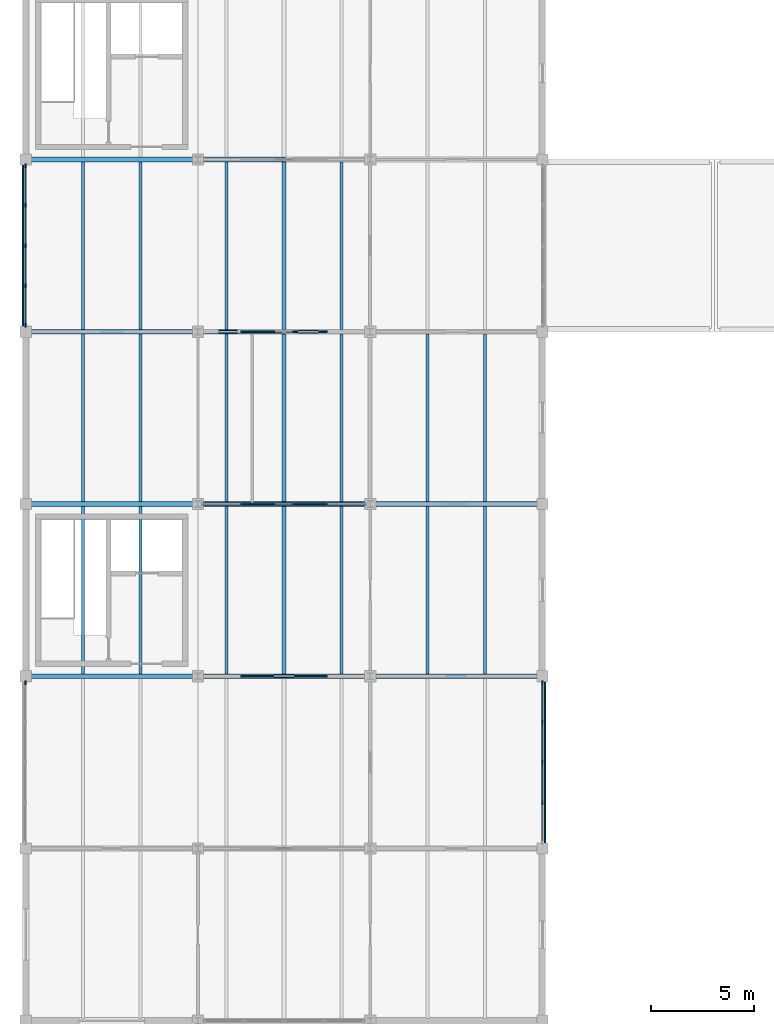
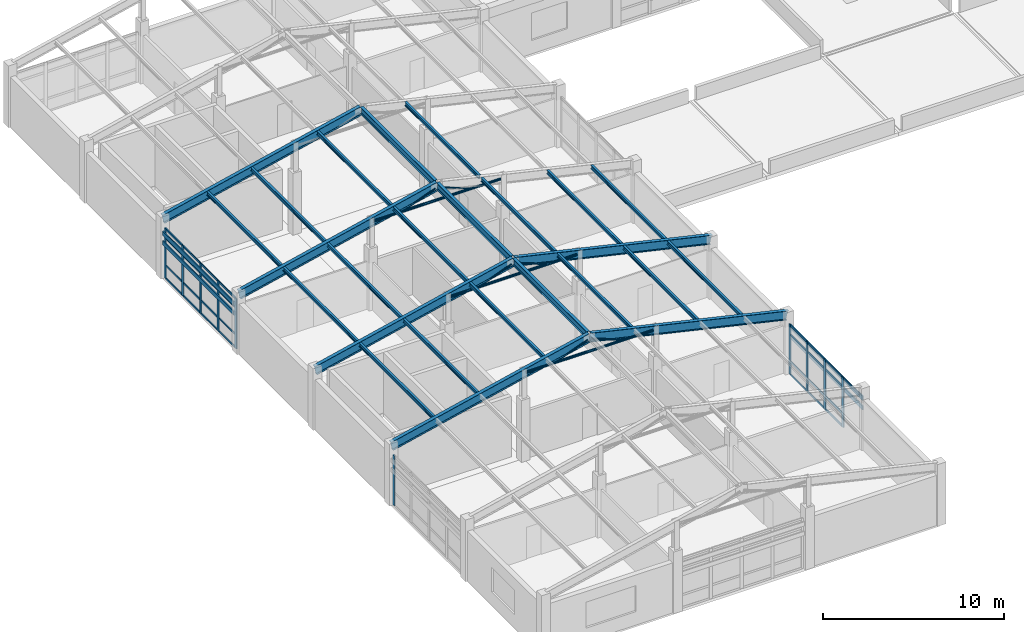
# One storey, part 5 of 40: 68 members, 9 beams, 3 elements without a shape of their own.
"""IFC4 building model written with IfcOpenShell, lengths in metres."""

from ifc_helpers import new_model, si_unit, direction, frame, origin, origin_2d, place, context, subcontext, project, spatial, rectangle, hollow_circle, i_section, extrude, material, layer, layer_set, material_profile, profile_set, type_object, element, aggregate, save


model = new_model("IFC4")

# Units and contexts
model_context = context("Model", 3, precision=1e-05, world=origin(), true_north=direction((0.0, 1.0)))
body_context = subcontext(model_context, "Body", "Model", "MODEL_VIEW")
ifc_project = project(units=[si_unit("LENGTHUNIT", "METRE"), si_unit("AREAUNIT", "SQUARE_METRE"), si_unit("VOLUMEUNIT", "CUBIC_METRE"), si_unit("PLANEANGLEUNIT", "RADIAN"), si_unit("MASSUNIT", "GRAM", prefix="KILO")], contexts=[model_context])

# Site, building, storey
site_placement = place(None, origin())
site = spatial("IfcSite", under=ifc_project, at=site_placement, CompositionType="ELEMENT")
building_placement = place(site_placement, origin())
building = spatial("IfcBuilding", under=site, at=building_placement, Name="Porcellanite Civic Hall", CompositionType="ELEMENT")
storey_placement = place(building_placement, frame((0.0, 0.0, 19.080078125)))
storey = spatial("IfcBuildingStorey", under=building, at=storey_placement, Name="L04", CompositionType="ELEMENT", Elevation=19.080078125)

# Members
ifc_material_1 = material(Name="Steel C350L0", Category="steel")
ifc_material_profile_1 = material_profile(ifc_material_1, hollow_circle(Radius=0.05712890625, WallThickness=0.006103515625, at=origin_2d()), Name="114.3x6.0CHS")
ifc_profile_set_1 = profile_set([ifc_material_profile_1], Name="Steel C350L0")
member_type_1 = type_object("IfcMemberType", Name="BRC-114CHS", PredefinedType="BRACE", material=ifc_profile_set_1)
for number, where, z_axis, x_axis, name in (
    (1, (18.89990234375, 33.60009765625, 5.7998046875), (0.931726918687, 0.0, 0.363159674239), (0.0, 1.0, 0.0), "Committee west web 4"),
    (2, (23.10009765625, 33.60009765625, 5.7998046875), (-0.931726918687, 0.0, 0.363159674239), (0.0, -1.0, 0.0), "Committee east web 4"),
    (3, (18.89990234375, 42.0, 5.7998046875), (0.931726918687, 0.0, 0.363159674239), (0.0, 1.0, 0.0), "Committee west web 5"),
    (4, (23.10009765625, 42.0, 5.7998046875), (-0.931726918687, 0.0, 0.363159674239), (0.0, -1.0, 0.0), "Committee east web 5"),
    (5, (18.89990234375, 50.39990234375, 5.7998046875), (0.931726918687, 0.0, 0.363159674239), (0.0, 1.0, 0.0), "Committee west web 6"),
    (6, (23.10009765625, 50.39990234375, 5.7998046875), (-0.931726918687, 0.0, 0.363159674239), (0.0, -1.0, 0.0), "Committee east web 6"),
):
    element("IfcMember", number, at=place(storey_placement, frame(where, z_axis=z_axis, x_axis=x_axis)), inside=storey, type_object=member_type_1, Name=name, PredefinedType="BRACE", context=body_context, shape_type="SweptSolid", body=[
        extrude(hollow_circle(Radius=0.05712890625, WallThickness=0.006103515625, at=origin_2d()), origin(), (0.0, 0.0, 1.0), 2.146484375),
    ])
ifc_material_2 = material(Name="Steel C350L0", Category="steel")
ifc_material_profile_2 = material_profile(ifc_material_2, hollow_circle(Radius=0.084228515625, WallThickness=0.007080078125, at=origin_2d()), Name="168.3x7.1CHS")
ifc_profile_set_2 = profile_set([ifc_material_profile_2], Name="Steel C350L0")
member_type_2 = type_object("IfcMemberType", Name="BRC-168CHS", PredefinedType="BRACE", material=ifc_profile_set_2)
for number, where, z_axis, x_axis, name in (
    (7, (16.949951171875, 33.60009765625, 5.759765625), (1.0, 0.0, 0.0), (0.0, 1.0, 0.0), "Committee collar tie 4"),
    (8, (16.949951171875, 42.0, 5.759765625), (1.0, 0.0, 0.0), (0.0, 1.0, 0.0), "Committee collar tie 5"),
    (9, (16.949951171875, 50.39990234375, 5.759765625), (1.0, 0.0, 0.0), (0.0, 1.0, 0.0), "Committee collar tie 6"),
):
    element("IfcMember", number, at=place(storey_placement, frame(where, z_axis=z_axis, x_axis=x_axis)), inside=storey, type_object=member_type_2, Name=name, PredefinedType="BRACE", context=body_context, shape_type="SweptSolid", body=[
        extrude(hollow_circle(Radius=0.084228515625, WallThickness=0.007080078125, at=origin_2d()), origin(), (0.0, 0.0, 1.0), 8.10009765625),
    ])

# Curtain wall, member
ifc_material_3 = material(Name="Anodised aluminium and solar laminated glass", Category="aluminium")
ifc_layer = layer(ifc_material_3, 0.179931640625)
ifc_layer_set = layer_set([ifc_layer], Name="Anodised aluminium and solar laminated glass")
curtain_wall_type = type_object("IfcCurtainWallType", Name="CW-SYS05", PredefinedType="NOTDEFINED", material=ifc_layer_set)
curtain_wall_1_placement = place(storey_placement, origin())
curtain_wall_1 = element("IfcCurtainWall", 10, at=curtain_wall_1_placement, inside=storey, type_object=curtain_wall_type, Name="Curtain wall CW-229", PredefinedType="NOTDEFINED")
ifc_material_4 = material(Name="Anodised aluminium 6063-T6", Category="aluminium")
ifc_material_profile_3 = material_profile(ifc_material_4, rectangle(XDim=0.070068359375, YDim=0.199951171875, at=origin_2d()), Name="AL-70x200")
ifc_profile_set_3 = profile_set([ifc_material_profile_3], Name="Anodised aluminium 6063-T6")
member_type_3 = type_object("IfcMemberType", Name="CWM-05", PredefinedType="MULLION", material=ifc_profile_set_3)
member_1_placement = place(storey_placement, frame((8.39990234375, 33.2890625, 0.0), z_axis=(0.0, 0.0, 1.0), x_axis=(-1.0, 0.0, 0.0)))
member_1 = element("IfcMember", 11, at=member_1_placement, type_object=member_type_3, Name="CW-229 mullion 5", PredefinedType="MULLION", context=body_context, shape_type="SweptSolid", body=[
    extrude(rectangle(XDim=0.070068359375, YDim=0.199951171875, at=origin_2d()), origin(), (0.0, 0.0, 1.0), 3.369873046875),
])
aggregate(curtain_wall_1, [member_1])

# Curtain wall, members
curtain_wall_2_placement = place(storey_placement, origin())
curtain_wall_2 = element("IfcCurtainWall", 12, at=curtain_wall_2_placement, inside=storey, type_object=curtain_wall_type, Name="Curtain wall CW-230", PredefinedType="NOTDEFINED")
member_2_placement = place(storey_placement, frame((8.39990234375, 50.7109375, 0.0), z_axis=(0.0, 0.0, 1.0), x_axis=(-1.0, 0.0, 0.0)))
member_2 = element("IfcMember", 13, at=member_2_placement, type_object=member_type_3, Name="CW-230 mullion 1", PredefinedType="MULLION", context=body_context, shape_type="SweptSolid", body=[
    extrude(rectangle(XDim=0.070068359375, YDim=0.199951171875, at=origin_2d()), origin(), (0.0, 0.0, 1.0), 3.369873046875),
])
member_3_placement = place(storey_placement, frame((8.39990234375, 52.637939453125, 0.0), z_axis=(0.0, 0.0, 1.0), x_axis=(-1.0, 0.0, 0.0)))
member_3 = element("IfcMember", 14, at=member_3_placement, type_object=member_type_3, Name="CW-230 mullion 2", PredefinedType="MULLION", context=body_context, shape_type="SweptSolid", body=[
    extrude(rectangle(XDim=0.070068359375, YDim=0.199951171875, at=origin_2d()), origin(), (0.0, 0.0, 1.0), 3.369873046875),
])
member_4_placement = place(storey_placement, frame((8.39990234375, 54.60009765625, 0.0), z_axis=(0.0, 0.0, 1.0), x_axis=(-1.0, 0.0, 0.0)))
member_4 = element("IfcMember", 15, at=member_4_placement, type_object=member_type_3, Name="CW-230 mullion 3", PredefinedType="MULLION", context=body_context, shape_type="SweptSolid", body=[
    extrude(rectangle(XDim=0.070068359375, YDim=0.199951171875, at=origin_2d()), origin(), (0.0, 0.0, 1.0), 3.369873046875),
])
member_5_placement = place(storey_placement, frame((8.39990234375, 56.56201171875, 0.0), z_axis=(0.0, 0.0, 1.0), x_axis=(-1.0, 0.0, 0.0)))
member_5 = element("IfcMember", 16, at=member_5_placement, type_object=member_type_3, Name="CW-230 mullion 4", PredefinedType="MULLION", context=body_context, shape_type="SweptSolid", body=[
    extrude(rectangle(XDim=0.070068359375, YDim=0.199951171875, at=origin_2d()), origin(), (0.0, 0.0, 1.0), 3.369873046875),
])
member_6_placement = place(storey_placement, frame((8.39990234375, 58.489013671875, 0.0), z_axis=(0.0, 0.0, 1.0), x_axis=(-1.0, 0.0, 0.0)))
member_6 = element("IfcMember", 17, at=member_6_placement, type_object=member_type_3, Name="CW-230 mullion 5", PredefinedType="MULLION", context=body_context, shape_type="SweptSolid", body=[
    extrude(rectangle(XDim=0.070068359375, YDim=0.199951171875, at=origin_2d()), origin(), (0.0, 0.0, 1.0), 3.369873046875),
])

curtain_wall_3_placement = place(storey_placement, origin())
curtain_wall_3 = element("IfcCurtainWall", 18, at=curtain_wall_3_placement, inside=storey, type_object=curtain_wall_type, Name="Curtain wall CW-233", PredefinedType="NOTDEFINED")
member_7_placement = place(storey_placement, frame((33.60009765625, 33.2890625, 0.0), z_axis=(0.0, 0.0, 1.0), x_axis=(1.0, 0.0, 0.0)))
member_7 = element("IfcMember", 19, at=member_7_placement, type_object=member_type_3, Name="CW-233 mullion 1", PredefinedType="MULLION", context=body_context, shape_type="SweptSolid", body=[
    extrude(rectangle(XDim=0.070068359375, YDim=0.199951171875, at=origin_2d()), origin(), (0.0, 0.0, 1.0), 3.369873046875),
])
member_8_placement = place(storey_placement, frame((33.60009765625, 31.362060546875, 0.0), z_axis=(0.0, 0.0, 1.0), x_axis=(1.0, 0.0, 0.0)))
member_8 = element("IfcMember", 20, at=member_8_placement, type_object=member_type_3, Name="CW-233 mullion 2", PredefinedType="MULLION", context=body_context, shape_type="SweptSolid", body=[
    extrude(rectangle(XDim=0.070068359375, YDim=0.199951171875, at=origin_2d()), origin(), (0.0, 0.0, 1.0), 3.369873046875),
])
member_9_placement = place(storey_placement, frame((33.60009765625, 29.39990234375, 0.0), z_axis=(0.0, 0.0, 1.0), x_axis=(1.0, 0.0, 0.0)))
member_9 = element("IfcMember", 21, at=member_9_placement, type_object=member_type_3, Name="CW-233 mullion 3", PredefinedType="MULLION", context=body_context, shape_type="SweptSolid", body=[
    extrude(rectangle(XDim=0.070068359375, YDim=0.199951171875, at=origin_2d()), origin(), (0.0, 0.0, 1.0), 3.369873046875),
])
member_10_placement = place(storey_placement, frame((33.60009765625, 27.43798828125, 0.0), z_axis=(0.0, 0.0, 1.0), x_axis=(1.0, 0.0, 0.0)))
member_10 = element("IfcMember", 22, at=member_10_placement, type_object=member_type_3, Name="CW-233 mullion 4", PredefinedType="MULLION", context=body_context, shape_type="SweptSolid", body=[
    extrude(rectangle(XDim=0.070068359375, YDim=0.199951171875, at=origin_2d()), origin(), (0.0, 0.0, 1.0), 3.369873046875),
])

# Member
ifc_material_5 = material(Name="Anodised aluminium 6063-T6", Category="aluminium")
ifc_material_profile_4 = material_profile(ifc_material_5, rectangle(XDim=0.06005859375, YDim=0.1298828125, at=origin_2d()), Name="AL-60x130")
ifc_profile_set_4 = profile_set([ifc_material_profile_4], Name="Anodised aluminium 6063-T6")
member_type_4 = type_object("IfcMemberType", Name="CWT-03", PredefinedType="USERDEFINED", material=ifc_profile_set_4)
member_11_placement = place(storey_placement, frame((8.39990234375, 50.74609375, 0.030029296875), z_axis=(0.0, 1.0, 0.0), x_axis=(-1.0, 0.0, 0.0)))
member_11 = element("IfcMember", 23, at=member_11_placement, type_object=member_type_4, Name="CW-230 transom 1.1", ObjectType="TRANSOM", PredefinedType="USERDEFINED", context=body_context, shape_type="SweptSolid", body=[
    extrude(rectangle(XDim=0.06005859375, YDim=0.1298828125, at=origin_2d()), origin(), (0.0, 0.0, 1.0), 1.85693359375),
])

member_12_placement = place(storey_placement, frame((8.39990234375, 50.74609375, 0.89990234375), z_axis=(0.0, 1.0, 0.0), x_axis=(-1.0, 0.0, 0.0)))
member_12 = element("IfcMember", 24, at=member_12_placement, type_object=member_type_4, Name="CW-230 transom 1.2", ObjectType="TRANSOM", PredefinedType="USERDEFINED", context=body_context, shape_type="SweptSolid", body=[
    extrude(rectangle(XDim=0.06005859375, YDim=0.1298828125, at=origin_2d()), origin(), (0.0, 0.0, 1.0), 1.85693359375),
])

member_13_placement = place(storey_placement, frame((8.39990234375, 50.74609375, 2.719970703125), z_axis=(0.0, 1.0, 0.0), x_axis=(-1.0, 0.0, 0.0)))
member_13 = element("IfcMember", 25, at=member_13_placement, type_object=member_type_4, Name="CW-230 transom 1.3", ObjectType="TRANSOM", PredefinedType="USERDEFINED", context=body_context, shape_type="SweptSolid", body=[
    extrude(rectangle(XDim=0.06005859375, YDim=0.1298828125, at=origin_2d()), origin(), (0.0, 0.0, 1.0), 1.85693359375),
])

member_14_placement = place(storey_placement, frame((8.39990234375, 50.74609375, 3.33984375), z_axis=(0.0, 1.0, 0.0), x_axis=(-1.0, 0.0, 0.0)))
member_14 = element("IfcMember", 26, at=member_14_placement, type_object=member_type_4, Name="CW-230 transom 1.4", ObjectType="TRANSOM", PredefinedType="USERDEFINED", context=body_context, shape_type="SweptSolid", body=[
    extrude(rectangle(XDim=0.06005859375, YDim=0.1298828125, at=origin_2d()), origin(), (0.0, 0.0, 1.0), 1.85693359375),
])

member_15_placement = place(storey_placement, frame((8.39990234375, 52.673095703125, 0.030029296875), z_axis=(0.0, 1.0, 0.0), x_axis=(-1.0, 0.0, 0.0)))
member_15 = element("IfcMember", 27, at=member_15_placement, type_object=member_type_4, Name="CW-230 transom 2.1", ObjectType="TRANSOM", PredefinedType="USERDEFINED", context=body_context, shape_type="SweptSolid", body=[
    extrude(rectangle(XDim=0.06005859375, YDim=0.1298828125, at=origin_2d()), origin(), (0.0, 0.0, 1.0), 1.891845703125),
])

member_16_placement = place(storey_placement, frame((8.39990234375, 52.673095703125, 0.89990234375), z_axis=(0.0, 1.0, 0.0), x_axis=(-1.0, 0.0, 0.0)))
member_16 = element("IfcMember", 28, at=member_16_placement, type_object=member_type_4, Name="CW-230 transom 2.2", ObjectType="TRANSOM", PredefinedType="USERDEFINED", context=body_context, shape_type="SweptSolid", body=[
    extrude(rectangle(XDim=0.06005859375, YDim=0.1298828125, at=origin_2d()), origin(), (0.0, 0.0, 1.0), 1.891845703125),
])

member_17_placement = place(storey_placement, frame((8.39990234375, 52.673095703125, 2.719970703125), z_axis=(0.0, 1.0, 0.0), x_axis=(-1.0, 0.0, 0.0)))
member_17 = element("IfcMember", 29, at=member_17_placement, type_object=member_type_4, Name="CW-230 transom 2.3", ObjectType="TRANSOM", PredefinedType="USERDEFINED", context=body_context, shape_type="SweptSolid", body=[
    extrude(rectangle(XDim=0.06005859375, YDim=0.1298828125, at=origin_2d()), origin(), (0.0, 0.0, 1.0), 1.891845703125),
])

member_18_placement = place(storey_placement, frame((8.39990234375, 52.673095703125, 3.33984375), z_axis=(0.0, 1.0, 0.0), x_axis=(-1.0, 0.0, 0.0)))
member_18 = element("IfcMember", 30, at=member_18_placement, type_object=member_type_4, Name="CW-230 transom 2.4", ObjectType="TRANSOM", PredefinedType="USERDEFINED", context=body_context, shape_type="SweptSolid", body=[
    extrude(rectangle(XDim=0.06005859375, YDim=0.1298828125, at=origin_2d()), origin(), (0.0, 0.0, 1.0), 1.891845703125),
])

member_19_placement = place(storey_placement, frame((8.39990234375, 54.635009765625, 0.030029296875), z_axis=(0.0, 1.0, 0.0), x_axis=(-1.0, 0.0, 0.0)))
member_19 = element("IfcMember", 31, at=member_19_placement, type_object=member_type_4, Name="CW-230 transom 3.1", ObjectType="TRANSOM", PredefinedType="USERDEFINED", context=body_context, shape_type="SweptSolid", body=[
    extrude(rectangle(XDim=0.06005859375, YDim=0.1298828125, at=origin_2d()), origin(), (0.0, 0.0, 1.0), 1.89208984375),
])

member_20_placement = place(storey_placement, frame((8.39990234375, 54.635009765625, 0.89990234375), z_axis=(0.0, 1.0, 0.0), x_axis=(-1.0, 0.0, 0.0)))
member_20 = element("IfcMember", 32, at=member_20_placement, type_object=member_type_4, Name="CW-230 transom 3.2", ObjectType="TRANSOM", PredefinedType="USERDEFINED", context=body_context, shape_type="SweptSolid", body=[
    extrude(rectangle(XDim=0.06005859375, YDim=0.1298828125, at=origin_2d()), origin(), (0.0, 0.0, 1.0), 1.89208984375),
])

member_21_placement = place(storey_placement, frame((8.39990234375, 54.635009765625, 2.719970703125), z_axis=(0.0, 1.0, 0.0), x_axis=(-1.0, 0.0, 0.0)))
member_21 = element("IfcMember", 33, at=member_21_placement, type_object=member_type_4, Name="CW-230 transom 3.3", ObjectType="TRANSOM", PredefinedType="USERDEFINED", context=body_context, shape_type="SweptSolid", body=[
    extrude(rectangle(XDim=0.06005859375, YDim=0.1298828125, at=origin_2d()), origin(), (0.0, 0.0, 1.0), 1.89208984375),
])

member_22_placement = place(storey_placement, frame((8.39990234375, 54.635009765625, 3.33984375), z_axis=(0.0, 1.0, 0.0), x_axis=(-1.0, 0.0, 0.0)))
member_22 = element("IfcMember", 34, at=member_22_placement, type_object=member_type_4, Name="CW-230 transom 3.4", ObjectType="TRANSOM", PredefinedType="USERDEFINED", context=body_context, shape_type="SweptSolid", body=[
    extrude(rectangle(XDim=0.06005859375, YDim=0.1298828125, at=origin_2d()), origin(), (0.0, 0.0, 1.0), 1.89208984375),
])

member_23_placement = place(storey_placement, frame((8.39990234375, 56.596923828125, 0.030029296875), z_axis=(0.0, 1.0, 0.0), x_axis=(-1.0, 0.0, 0.0)))
member_23 = element("IfcMember", 35, at=member_23_placement, type_object=member_type_4, Name="CW-230 transom 4.1", ObjectType="TRANSOM", PredefinedType="USERDEFINED", context=body_context, shape_type="SweptSolid", body=[
    extrude(rectangle(XDim=0.06005859375, YDim=0.1298828125, at=origin_2d()), origin(), (0.0, 0.0, 1.0), 1.857177734375),
])

member_24_placement = place(storey_placement, frame((8.39990234375, 56.596923828125, 0.89990234375), z_axis=(0.0, 1.0, 0.0), x_axis=(-1.0, 0.0, 0.0)))
member_24 = element("IfcMember", 36, at=member_24_placement, type_object=member_type_4, Name="CW-230 transom 4.2", ObjectType="TRANSOM", PredefinedType="USERDEFINED", context=body_context, shape_type="SweptSolid", body=[
    extrude(rectangle(XDim=0.06005859375, YDim=0.1298828125, at=origin_2d()), origin(), (0.0, 0.0, 1.0), 1.857177734375),
])

member_25_placement = place(storey_placement, frame((8.39990234375, 56.596923828125, 2.719970703125), z_axis=(0.0, 1.0, 0.0), x_axis=(-1.0, 0.0, 0.0)))
member_25 = element("IfcMember", 37, at=member_25_placement, type_object=member_type_4, Name="CW-230 transom 4.3", ObjectType="TRANSOM", PredefinedType="USERDEFINED", context=body_context, shape_type="SweptSolid", body=[
    extrude(rectangle(XDim=0.06005859375, YDim=0.1298828125, at=origin_2d()), origin(), (0.0, 0.0, 1.0), 1.857177734375),
])

member_26_placement = place(storey_placement, frame((8.39990234375, 56.596923828125, 3.33984375), z_axis=(0.0, 1.0, 0.0), x_axis=(-1.0, 0.0, 0.0)))
member_26 = element("IfcMember", 38, at=member_26_placement, type_object=member_type_4, Name="CW-230 transom 4.4", ObjectType="TRANSOM", PredefinedType="USERDEFINED", context=body_context, shape_type="SweptSolid", body=[
    extrude(rectangle(XDim=0.06005859375, YDim=0.1298828125, at=origin_2d()), origin(), (0.0, 0.0, 1.0), 1.857177734375),
])

aggregate(curtain_wall_2, [member_2, member_3, member_4, member_5, member_6, member_11, member_12, member_13, member_14, member_15, member_16, member_17, member_18, member_19, member_20, member_21, member_22, member_23, member_24, member_25, member_26])

member_27_placement = place(storey_placement, frame((33.60009765625, 33.25390625, 0.030029296875), z_axis=(0.0, -1.0, 0.0), x_axis=(1.0, 0.0, 0.0)))
member_27 = element("IfcMember", 39, at=member_27_placement, type_object=member_type_4, Name="CW-233 transom 1.1", ObjectType="TRANSOM", PredefinedType="USERDEFINED", context=body_context, shape_type="SweptSolid", body=[
    extrude(rectangle(XDim=0.06005859375, YDim=0.1298828125, at=origin_2d()), origin(), (0.0, 0.0, 1.0), 1.85693359375),
])

member_28_placement = place(storey_placement, frame((33.60009765625, 33.25390625, 0.89990234375), z_axis=(0.0, -1.0, 0.0), x_axis=(1.0, 0.0, 0.0)))
member_28 = element("IfcMember", 40, at=member_28_placement, type_object=member_type_4, Name="CW-233 transom 1.2", ObjectType="TRANSOM", PredefinedType="USERDEFINED", context=body_context, shape_type="SweptSolid", body=[
    extrude(rectangle(XDim=0.06005859375, YDim=0.1298828125, at=origin_2d()), origin(), (0.0, 0.0, 1.0), 1.85693359375),
])

member_29_placement = place(storey_placement, frame((33.60009765625, 33.25390625, 2.719970703125), z_axis=(0.0, -1.0, 0.0), x_axis=(1.0, 0.0, 0.0)))
member_29 = element("IfcMember", 41, at=member_29_placement, type_object=member_type_4, Name="CW-233 transom 1.3", ObjectType="TRANSOM", PredefinedType="USERDEFINED", context=body_context, shape_type="SweptSolid", body=[
    extrude(rectangle(XDim=0.06005859375, YDim=0.1298828125, at=origin_2d()), origin(), (0.0, 0.0, 1.0), 1.85693359375),
])

member_30_placement = place(storey_placement, frame((33.60009765625, 33.25390625, 3.33984375), z_axis=(0.0, -1.0, 0.0), x_axis=(1.0, 0.0, 0.0)))
member_30 = element("IfcMember", 42, at=member_30_placement, type_object=member_type_4, Name="CW-233 transom 1.4", ObjectType="TRANSOM", PredefinedType="USERDEFINED", context=body_context, shape_type="SweptSolid", body=[
    extrude(rectangle(XDim=0.06005859375, YDim=0.1298828125, at=origin_2d()), origin(), (0.0, 0.0, 1.0), 1.85693359375),
])

member_31_placement = place(storey_placement, frame((33.60009765625, 31.326904296875, 0.030029296875), z_axis=(0.0, -1.0, 0.0), x_axis=(1.0, 0.0, 0.0)))
member_31 = element("IfcMember", 43, at=member_31_placement, type_object=member_type_4, Name="CW-233 transom 2.1", ObjectType="TRANSOM", PredefinedType="USERDEFINED", context=body_context, shape_type="SweptSolid", body=[
    extrude(rectangle(XDim=0.06005859375, YDim=0.1298828125, at=origin_2d()), origin(), (0.0, 0.0, 1.0), 1.891845703125),
])

member_32_placement = place(storey_placement, frame((33.60009765625, 31.326904296875, 0.89990234375), z_axis=(0.0, -1.0, 0.0), x_axis=(1.0, 0.0, 0.0)))
member_32 = element("IfcMember", 44, at=member_32_placement, type_object=member_type_4, Name="CW-233 transom 2.2", ObjectType="TRANSOM", PredefinedType="USERDEFINED", context=body_context, shape_type="SweptSolid", body=[
    extrude(rectangle(XDim=0.06005859375, YDim=0.1298828125, at=origin_2d()), origin(), (0.0, 0.0, 1.0), 1.891845703125),
])

member_33_placement = place(storey_placement, frame((33.60009765625, 31.326904296875, 2.719970703125), z_axis=(0.0, -1.0, 0.0), x_axis=(1.0, 0.0, 0.0)))
member_33 = element("IfcMember", 45, at=member_33_placement, type_object=member_type_4, Name="CW-233 transom 2.3", ObjectType="TRANSOM", PredefinedType="USERDEFINED", context=body_context, shape_type="SweptSolid", body=[
    extrude(rectangle(XDim=0.06005859375, YDim=0.1298828125, at=origin_2d()), origin(), (0.0, 0.0, 1.0), 1.891845703125),
])

member_34_placement = place(storey_placement, frame((33.60009765625, 31.326904296875, 3.33984375), z_axis=(0.0, -1.0, 0.0), x_axis=(1.0, 0.0, 0.0)))
member_34 = element("IfcMember", 46, at=member_34_placement, type_object=member_type_4, Name="CW-233 transom 2.4", ObjectType="TRANSOM", PredefinedType="USERDEFINED", context=body_context, shape_type="SweptSolid", body=[
    extrude(rectangle(XDim=0.06005859375, YDim=0.1298828125, at=origin_2d()), origin(), (0.0, 0.0, 1.0), 1.891845703125),
])

member_35_placement = place(storey_placement, frame((33.60009765625, 29.364990234375, 0.030029296875), z_axis=(0.0, -1.0, 0.0), x_axis=(1.0, 0.0, 0.0)))
member_35 = element("IfcMember", 47, at=member_35_placement, type_object=member_type_4, Name="CW-233 transom 3.1", ObjectType="TRANSOM", PredefinedType="USERDEFINED", context=body_context, shape_type="SweptSolid", body=[
    extrude(rectangle(XDim=0.06005859375, YDim=0.1298828125, at=origin_2d()), origin(), (0.0, 0.0, 1.0), 1.89208984375),
])

member_36_placement = place(storey_placement, frame((33.60009765625, 29.364990234375, 0.89990234375), z_axis=(0.0, -1.0, 0.0), x_axis=(1.0, 0.0, 0.0)))
member_36 = element("IfcMember", 48, at=member_36_placement, type_object=member_type_4, Name="CW-233 transom 3.2", ObjectType="TRANSOM", PredefinedType="USERDEFINED", context=body_context, shape_type="SweptSolid", body=[
    extrude(rectangle(XDim=0.06005859375, YDim=0.1298828125, at=origin_2d()), origin(), (0.0, 0.0, 1.0), 1.89208984375),
])

member_37_placement = place(storey_placement, frame((33.60009765625, 29.364990234375, 2.719970703125), z_axis=(0.0, -1.0, 0.0), x_axis=(1.0, 0.0, 0.0)))
member_37 = element("IfcMember", 49, at=member_37_placement, type_object=member_type_4, Name="CW-233 transom 3.3", ObjectType="TRANSOM", PredefinedType="USERDEFINED", context=body_context, shape_type="SweptSolid", body=[
    extrude(rectangle(XDim=0.06005859375, YDim=0.1298828125, at=origin_2d()), origin(), (0.0, 0.0, 1.0), 1.89208984375),
])

member_38_placement = place(storey_placement, frame((33.60009765625, 29.364990234375, 3.33984375), z_axis=(0.0, -1.0, 0.0), x_axis=(1.0, 0.0, 0.0)))
member_38 = element("IfcMember", 50, at=member_38_placement, type_object=member_type_4, Name="CW-233 transom 3.4", ObjectType="TRANSOM", PredefinedType="USERDEFINED", context=body_context, shape_type="SweptSolid", body=[
    extrude(rectangle(XDim=0.06005859375, YDim=0.1298828125, at=origin_2d()), origin(), (0.0, 0.0, 1.0), 1.89208984375),
])

member_39_placement = place(storey_placement, frame((33.60009765625, 27.403076171875, 3.33984375), z_axis=(0.0, -1.0, 0.0), x_axis=(1.0, 0.0, 0.0)))
member_39 = element("IfcMember", 51, at=member_39_placement, type_object=member_type_4, Name="CW-233 transom 4.4", ObjectType="TRANSOM", PredefinedType="USERDEFINED", context=body_context, shape_type="SweptSolid", body=[
    extrude(rectangle(XDim=0.06005859375, YDim=0.1298828125, at=origin_2d()), origin(), (0.0, 0.0, 1.0), 1.857177734375),
])

aggregate(curtain_wall_3, [member_7, member_8, member_9, member_10, member_27, member_28, member_29, member_30, member_31, member_32, member_33, member_34, member_35, member_36, member_37, member_38, member_39])

# Members
ifc_material_6 = material(Name="Fluoropolymer bauxite-red aluminium 6063-T6", Category="aluminium")
ifc_material_profile_5 = material_profile(ifc_material_6, rectangle(XDim=0.070068359375, YDim=0.280029296875, at=origin_2d()), Name="AL-70x280")
ifc_profile_set_5 = profile_set([ifc_material_profile_5], Name="Fluoropolymer bauxite-red aluminium 6063-T6")
member_type_5 = type_object("IfcMemberType", Name="LV-BLD05", PredefinedType="USERDEFINED", material=ifc_profile_set_5)
for number, where, z_axis, x_axis, name in (
    (52, (8.262939453125, 50.674560546875, 3.06982421875), (0.0, 1.0, 0.0), (-1.0, 0.0, 0.0), "Cyclone sunshade louvre L04 W 1-6 1"),
    (53, (8.262939453125, 50.674560546875, 2.419921875), (0.0, 1.0, 0.0), (-1.0, 0.0, 0.0), "Cyclone sunshade louvre L04 W 1-6 2"),
    (54, (33.737060546875, 33.325439453125, 3.06982421875), (0.0, -1.0, 0.0), (1.0, 0.0, 0.0), "Cyclone sunshade louvre L04 E 3-3 1"),
    (55, (33.737060546875, 33.325439453125, 2.419921875), (0.0, -1.0, 0.0), (1.0, 0.0, 0.0), "Cyclone sunshade louvre L04 E 3-3 2"),
):
    element("IfcMember", number, at=place(storey_placement, frame(where, z_axis=z_axis, x_axis=x_axis)), inside=storey, type_object=member_type_5, Name=name, ObjectType="LOUVRE BLADE", PredefinedType="USERDEFINED", context=body_context, shape_type="SweptSolid", body=[
        extrude(rectangle(XDim=0.070068359375, YDim=0.280029296875, at=origin_2d()), origin(), (0.0, 0.0, 1.0), 7.850830078125),
    ])
ifc_material_7 = material(Name="Steel Grade 350", Category="steel")
ifc_material_profile_6 = material_profile(ifc_material_7, i_section(OverallWidth=0.14599609375, OverallDepth=0.251953125, WebThickness=0.006103515625, FlangeThickness=0.008544921875, FilletRadius=0.0087890625, at=origin_2d()), Name="250UB31.4")
ifc_profile_set_6 = profile_set([ifc_material_profile_6], Name="Steel Grade 350")
member_type_6 = type_object("IfcMemberType", Name="PUR-250UB31", PredefinedType="PURLIN", material=ifc_profile_set_6)
for number, where, z_axis, x_axis, name in (
    (56, (11.199951171875, 33.714111328125, 4.639892578125), (0.0, 1.0, 0.0), (-1.0, 0.0, 0.0), "Committee roof purlin 4 11.2"),
    (57, (14.0, 33.714111328125, 5.286376953125), (0.0, 1.0, 0.0), (-1.0, 0.0, 0.0), "Committee roof purlin 4 14.0"),
    (58, (18.199951171875, 33.714111328125, 6.255859375), (0.0, 1.0, 0.0), (-1.0, 0.0, 0.0), "Committee roof purlin 4 18.2"),
    (59, (23.800048828125, 33.714111328125, 6.255859375), (0.0, 1.0, 0.0), (-1.0, 0.0, 0.0), "Committee roof purlin 4 23.8"),
    (60, (28.0, 33.714111328125, 5.286376953125), (0.0, 1.0, 0.0), (-1.0, 0.0, 0.0), "Committee roof purlin 4 28.0"),
    (61, (30.800048828125, 33.714111328125, 4.639892578125), (0.0, 1.0, 0.0), (-1.0, 0.0, 0.0), "Committee roof purlin 4 30.8"),
    (62, (11.199951171875, 42.114013671875, 4.639892578125), (0.0, 1.0, 0.0), (-1.0, 0.0, 0.0), "Committee roof purlin 5 11.2"),
    (63, (14.0, 42.114013671875, 5.286376953125), (0.0, 1.0, 0.0), (-1.0, 0.0, 0.0), "Committee roof purlin 5 14.0"),
    (64, (18.199951171875, 42.114013671875, 6.255859375), (0.0, 1.0, 0.0), (-1.0, 0.0, 0.0), "Committee roof purlin 5 18.2"),
    (65, (23.800048828125, 42.114013671875, 6.255859375), (0.0, 1.0, 0.0), (-1.0, 0.0, 0.0), "Committee roof purlin 5 23.8"),
    (66, (28.0, 42.114013671875, 5.286376953125), (0.0, 1.0, 0.0), (-1.0, 0.0, 0.0), "Committee roof purlin 5 28.0"),
    (67, (30.800048828125, 42.114013671875, 4.639892578125), (0.0, 1.0, 0.0), (-1.0, 0.0, 0.0), "Committee roof purlin 5 30.8"),
):
    element("IfcMember", number, at=place(storey_placement, frame(where, z_axis=z_axis, x_axis=x_axis)), inside=storey, type_object=member_type_6, Name=name, PredefinedType="PURLIN", context=body_context, shape_type="SweptSolid", body=[
        extrude(i_section(OverallWidth=0.14599609375, OverallDepth=0.251953125, WebThickness=0.006103515625, FlangeThickness=0.008544921875, FilletRadius=0.0087890625, at=origin_2d()), origin(), (0.0, 0.0, 1.0), 8.171875),
    ])
for number, where, z_axis, x_axis, name in (
    (68, (11.199951171875, 50.513916015625, 4.639892578125), (0.0, 1.0, 0.0), (-1.0, 0.0, 0.0), "Committee roof purlin 6 11.2"),
    (69, (14.0, 50.513916015625, 5.286376953125), (0.0, 1.0, 0.0), (-1.0, 0.0, 0.0), "Committee roof purlin 6 14.0"),
    (70, (18.199951171875, 50.513916015625, 6.255859375), (0.0, 1.0, 0.0), (-1.0, 0.0, 0.0), "Committee roof purlin 6 18.2"),
    (71, (23.800048828125, 50.513916015625, 6.255859375), (0.0, 1.0, 0.0), (-1.0, 0.0, 0.0), "Committee roof purlin 6 23.8"),
):
    element("IfcMember", number, at=place(storey_placement, frame(where, z_axis=z_axis, x_axis=x_axis)), inside=storey, type_object=member_type_6, Name=name, PredefinedType="PURLIN", context=body_context, shape_type="SweptSolid", body=[
        extrude(i_section(OverallWidth=0.14599609375, OverallDepth=0.251953125, WebThickness=0.006103515625, FlangeThickness=0.008544921875, FilletRadius=0.0087890625, at=origin_2d()), origin(), (0.0, 0.0, 1.0), 8.172119140625),
    ])

# Beams
ifc_material_8 = material(Name="Steel Grade 350", Category="steel")
ifc_material_profile_7 = material_profile(ifc_material_8, i_section(OverallWidth=0.19091796875, OverallDepth=0.4599609375, WebThickness=0.010009765625, FlangeThickness=0.01611328125, FilletRadius=0.011474609375, at=origin_2d()), Name="460UB82.1")
ifc_profile_set_7 = profile_set([ifc_material_profile_7], Name="Steel Grade 350")
beam_type_1 = type_object("IfcBeamType", Name="RAF-460UB82", PredefinedType="BEAM", material=ifc_profile_set_7)
for number, where, z_axis, x_axis, name in (
    (72, (21.0, 33.714111328125, 6.79150390625), (0.0, 1.0, 0.0), (-1.0, 0.0, 0.0), "Committee ridge beam 4"),
    (73, (21.0, 42.114013671875, 6.79150390625), (0.0, 1.0, 0.0), (-1.0, 0.0, 0.0), "Committee ridge beam 5"),
):
    element("IfcBeam", number, at=place(storey_placement, frame(where, z_axis=z_axis, x_axis=x_axis)), inside=storey, type_object=beam_type_1, Name=name, PredefinedType="BEAM", context=body_context, shape_type="SweptSolid", body=[
        extrude(i_section(OverallWidth=0.19091796875, OverallDepth=0.4599609375, WebThickness=0.010009765625, FlangeThickness=0.01611328125, FilletRadius=0.011474609375, at=origin_2d()), origin(), (0.0, 0.0, 1.0), 8.171875),
    ])
beam_placement = place(storey_placement, frame((21.0, 50.513916015625, 6.79150390625), z_axis=(0.0, 1.0, 0.0), x_axis=(-1.0, 0.0, 0.0)))
element("IfcBeam", 74, at=beam_placement, inside=storey, type_object=beam_type_1, Name="Committee ridge beam 6", PredefinedType="BEAM", context=body_context, shape_type="SweptSolid", body=[
    extrude(i_section(OverallWidth=0.19091796875, OverallDepth=0.4599609375, WebThickness=0.010009765625, FlangeThickness=0.01611328125, FilletRadius=0.011474609375, at=origin_2d()), origin(), (0.0, 0.0, 1.0), 8.172119140625),
])
ifc_material_9 = material(Name="Steel Grade 350", Category="steel")
ifc_material_profile_8 = material_profile(ifc_material_9, i_section(OverallWidth=0.22802734375, OverallDepth=0.60205078125, WebThickness=0.010498046875, FlangeThickness=0.014892578125, FilletRadius=0.013916015625, at=origin_2d()), Name="610UB101")
ifc_profile_set_8 = profile_set([ifc_material_profile_8], Name="Steel Grade 350")
beam_type_2 = type_object("IfcBeamType", Name="RAF-610UB101", PredefinedType="BEAM", material=ifc_profile_set_8)
for number, where, z_axis, x_axis, name in (
    (75, (8.39990234375, 33.60009765625, 3.8203125), (0.974370508985, 0.0, 0.224949130296), (0.0, 1.0, 0.0), "Committee west rafter 4"),
    (76, (21.0, 33.60009765625, 6.729248046875), (0.974370508985, 0.0, -0.224949130296), (0.0, 1.0, 0.0), "Committee east rafter 4"),
    (77, (8.39990234375, 42.0, 3.8203125), (0.974370508985, 0.0, 0.224949130296), (0.0, 1.0, 0.0), "Committee west rafter 5"),
    (78, (21.0, 42.0, 6.729248046875), (0.974370508985, 0.0, -0.224949130296), (0.0, 1.0, 0.0), "Committee east rafter 5"),
    (79, (8.39990234375, 50.39990234375, 3.8203125), (0.974370508985, 0.0, 0.224949130296), (0.0, 1.0, 0.0), "Committee west rafter 6"),
    (80, (8.39990234375, 58.800048828125, 3.8203125), (0.974370508985, 0.0, 0.224949130296), (0.0, 1.0, 0.0), "Committee west rafter 7"),
):
    element("IfcBeam", number, at=place(storey_placement, frame(where, z_axis=z_axis, x_axis=x_axis)), inside=storey, type_object=beam_type_2, Name=name, PredefinedType="BEAM", context=body_context, shape_type="SweptSolid", body=[
        extrude(i_section(OverallWidth=0.22802734375, OverallDepth=0.60205078125, WebThickness=0.010498046875, FlangeThickness=0.014892578125, FilletRadius=0.013916015625, at=origin_2d()), origin(), (0.0, 0.0, 1.0), 12.931640625),
    ])

save(model, "model.ifc")
